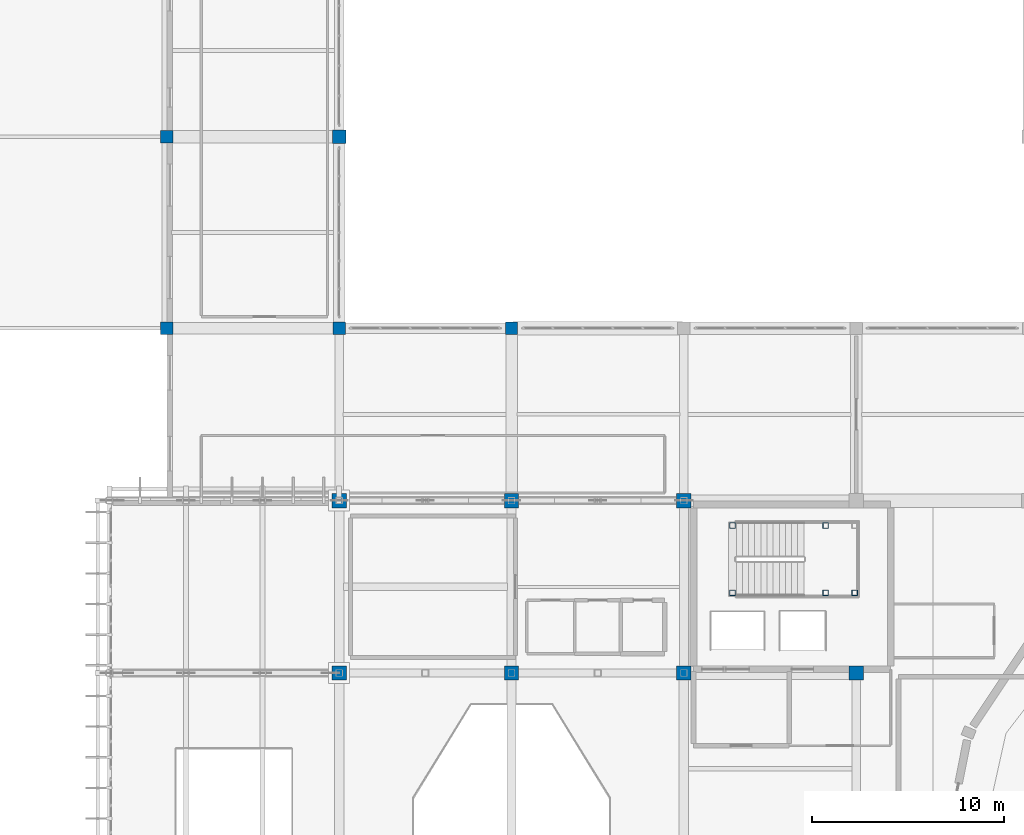
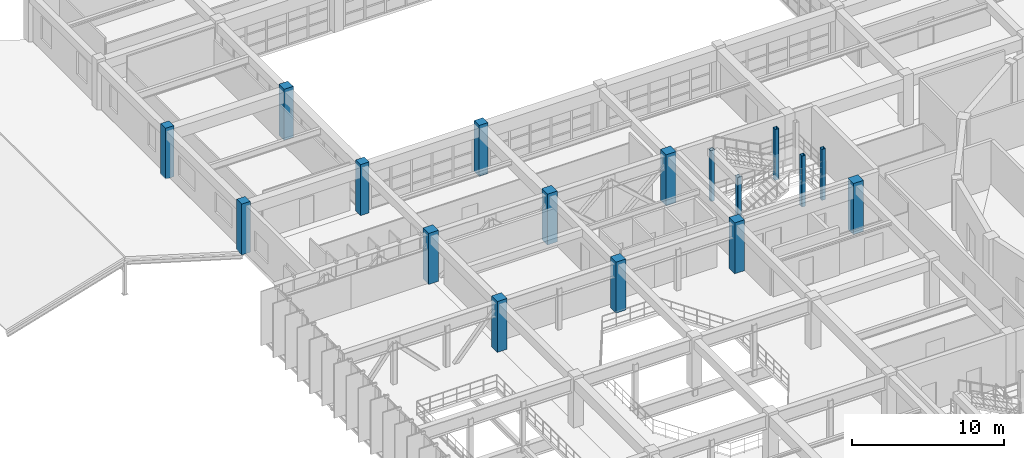
# One storey, part 7 of 130: 17 columns.
"""IFC4 building model written with IfcOpenShell, lengths in metres."""

from ifc_helpers import new_model, si_unit, direction, frame, origin, origin_2d, place, context, subcontext, project, spatial, rectangle, hollow_rectangle, extrude, material, material_profile, profile_set, type_object, element, save


model = new_model("IFC4")

# Units and contexts
model_context = context("Model", 3, precision=1e-05, world=origin(), true_north=direction((0.0, 1.0)))
body_context = subcontext(model_context, "Body", "Model", "MODEL_VIEW")
ifc_project = project(units=[si_unit("LENGTHUNIT", "METRE"), si_unit("AREAUNIT", "SQUARE_METRE"), si_unit("VOLUMEUNIT", "CUBIC_METRE"), si_unit("PLANEANGLEUNIT", "RADIAN"), si_unit("MASSUNIT", "GRAM", prefix="KILO")], contexts=[model_context])

# Site, building, storey
site_placement = place(None, origin())
site = spatial("IfcSite", under=ifc_project, at=site_placement, CompositionType="ELEMENT")
building_placement = place(site_placement, origin())
building = spatial("IfcBuilding", under=site, at=building_placement, Name="Miravela Opera House", CompositionType="ELEMENT")
storey_placement = place(building_placement, frame((0.0, 0.0, 9.52001953125)))
storey = spatial("IfcBuildingStorey", under=building, at=storey_placement, Name="L02", CompositionType="ELEMENT", Elevation=9.52001953125)

# Columns
ifc_material_1 = material(Name="Hollow structural steel ASTM A500 Gr. C", Category="steel")
ifc_material_profile_1 = material_profile(ifc_material_1, hollow_rectangle(XDim=0.300048828125, YDim=0.300048828125, WallThickness=0.01611328125, InnerFilletRadius=0.01611328125, OuterFilletRadius=0.031982421875, at=origin_2d()), Name="HSS300X300X16")
ifc_profile_set_1 = profile_set([ifc_material_profile_1])
column_type_1 = type_object("IfcColumnType", Name="STR-COL-HSS300", PredefinedType="COLUMN", material=ifc_profile_set_1)
for number, where, z_axis, x_axis, name in (
    (1, (47.5400390625, 70.179931640625, 0.0), (0.0, 0.0, 1.0), (1.0, 0.0, 0.0), "Stair K1 Landing Support Column 1 (L02)"),
    (2, (47.5400390625, 73.699951171875, 0.0), (0.0, 0.0, 1.0), (1.0, 0.0, 0.0), "Stair K1 Landing Support Column 2 (L02)"),
    (3, (52.39990234375, 70.179931640625, 0.0), (0.0, 0.0, 1.0), (1.0, 0.0, 0.0), "Stair K1 Landing Support Column 3 (L02)"),
    (4, (52.39990234375, 73.699951171875, 0.0), (0.0, 0.0, 1.0), (1.0, 0.0, 0.0), "Stair K1 Landing Support Column 4 (L02)"),
    (5, (53.919921875, 70.179931640625, 0.0), (0.0, 0.0, 1.0), (1.0, 0.0, 0.0), "Stair K1 Landing Support Column 5 (L02)"),
):
    element("IfcColumn", number, at=place(storey_placement, frame(where, z_axis=z_axis, x_axis=x_axis)), inside=storey, type_object=column_type_1, Name=name, PredefinedType="COLUMN", context=body_context, shape_type="SweptSolid", body=[
        extrude(hollow_rectangle(XDim=0.300048828125, YDim=0.300048828125, WallThickness=0.01611328125, InnerFilletRadius=0.01611328125, OuterFilletRadius=0.031982421875, at=origin_2d()), origin(), (0.0, 0.0, 1.0), 4.080078125),
    ])
ifc_material_2 = material(Name="Concrete C35/45", Category="concrete")
ifc_material_profile_2 = material_profile(ifc_material_2, rectangle(XDim=0.64990234375, YDim=0.64990234375, at=origin_2d()), Name="RC-COL-650X650")
ifc_profile_set_2 = profile_set([ifc_material_profile_2])
column_type_2 = type_object("IfcColumnType", Name="STR-COL-RC650", PredefinedType="COLUMN", material=ifc_profile_set_2)
for number, where, z_axis, x_axis, name in (
    (6, (18.0, 84.0, 0.0), (0.0, 0.0, 1.0), (1.0, 0.0, 0.0), "Column C-3J (L02)"),
    (7, (18.0, 94.0, 0.0), (0.0, 0.0, 1.0), (1.0, 0.0, 0.0), "Column C-3K (L02)"),
    (8, (27.0, 84.0, 0.0), (0.0, 0.0, 1.0), (1.0, 0.0, 0.0), "Column C-4J (L02)"),
    (9, (36.0, 84.0, 0.0), (0.0, 0.0, 1.0), (1.0, 0.0, 0.0), "Column C-5J (L02)"),
):
    element("IfcColumn", number, at=place(storey_placement, frame(where, z_axis=z_axis, x_axis=x_axis)), inside=storey, type_object=column_type_2, Name=name, PredefinedType="COLUMN", context=body_context, shape_type="SweptSolid", body=[
        extrude(rectangle(XDim=0.64990234375, YDim=0.64990234375, at=origin_2d()), origin(), (0.0, 0.0, 1.0), 4.080078125),
    ])
ifc_material_profile_3 = material_profile(ifc_material_2, rectangle(XDim=0.699951171875, YDim=0.699951171875, at=origin_2d()), Name="RC-COL-700X700")
ifc_profile_set_3 = profile_set([ifc_material_profile_3])
column_type_3 = type_object("IfcColumnType", Name="STR-COL-RC700", PredefinedType="COLUMN", material=ifc_profile_set_3)
column_placement = place(storey_placement, frame((27.0, 94.0, 0.0), z_axis=(0.0, 0.0, 1.0), x_axis=(1.0, 0.0, 0.0)))
element("IfcColumn", 10, at=column_placement, inside=storey, type_object=column_type_3, Name="Column C-4K (L02)", PredefinedType="COLUMN", context=body_context, shape_type="SweptSolid", body=[
    extrude(rectangle(XDim=0.699951171875, YDim=0.699951171875, at=origin_2d()), origin(), (0.0, 0.0, 1.0), 4.080078125),
])
ifc_material_profile_4 = material_profile(ifc_material_2, rectangle(XDim=0.75, YDim=0.75, at=origin_2d()), Name="RC-COL-750X750")
ifc_profile_set_4 = profile_set([ifc_material_profile_4])
column_type_4 = type_object("IfcColumnType", Name="STR-COL-RC750", PredefinedType="COLUMN", material=ifc_profile_set_4)
for number, where, z_axis, x_axis, name in (
    (11, (27.0, 66.0, 0.0), (0.0, 0.0, 1.0), (1.0, 0.0, 0.0), "Column C-4H (L02)"),
    (12, (27.0, 75.0, 0.0), (0.0, 0.0, 1.0), (1.0, 0.0, 0.0), "Column C-4I (L02)"),
    (13, (36.0, 66.0, 0.0), (0.0, 0.0, 1.0), (1.0, 0.0, 0.0), "Column C-5H (L02)"),
    (14, (36.0, 75.0, 0.0), (0.0, 0.0, 1.0), (1.0, 0.0, 0.0), "Column C-5I (L02)"),
    (15, (45.0, 66.0, 0.0), (0.0, 0.0, 1.0), (1.0, 0.0, 0.0), "Column C-6H (L02)"),
    (16, (45.0, 75.0, 0.0), (0.0, 0.0, 1.0), (1.0, 0.0, 0.0), "Column C-6I (L02)"),
    (17, (54.0, 66.0, 0.0), (0.0, 0.0, 1.0), (1.0, 0.0, 0.0), "Column C-7H (L02)"),
):
    element("IfcColumn", number, at=place(storey_placement, frame(where, z_axis=z_axis, x_axis=x_axis)), inside=storey, type_object=column_type_4, Name=name, PredefinedType="COLUMN", context=body_context, shape_type="SweptSolid", body=[
        extrude(rectangle(XDim=0.75, YDim=0.75, at=origin_2d()), origin(), (0.0, 0.0, 1.0), 4.080078125),
    ])

save(model, "model.ifc")
